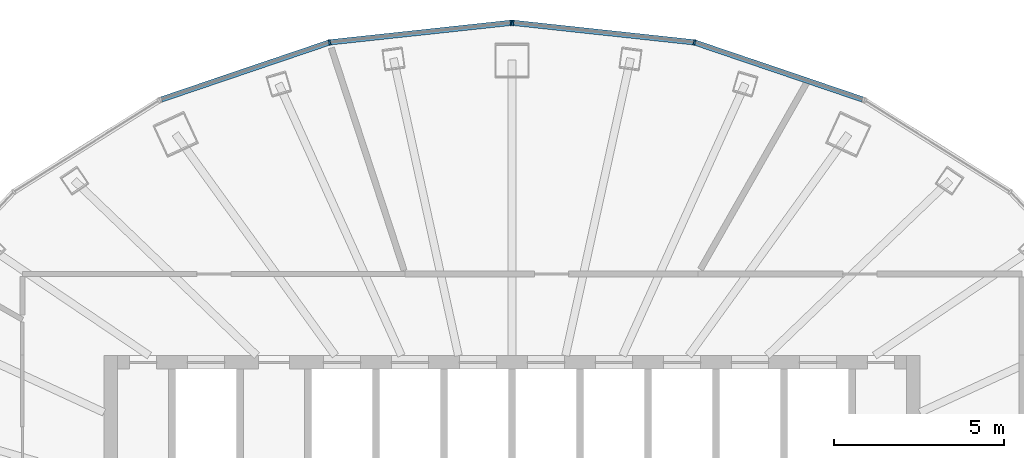
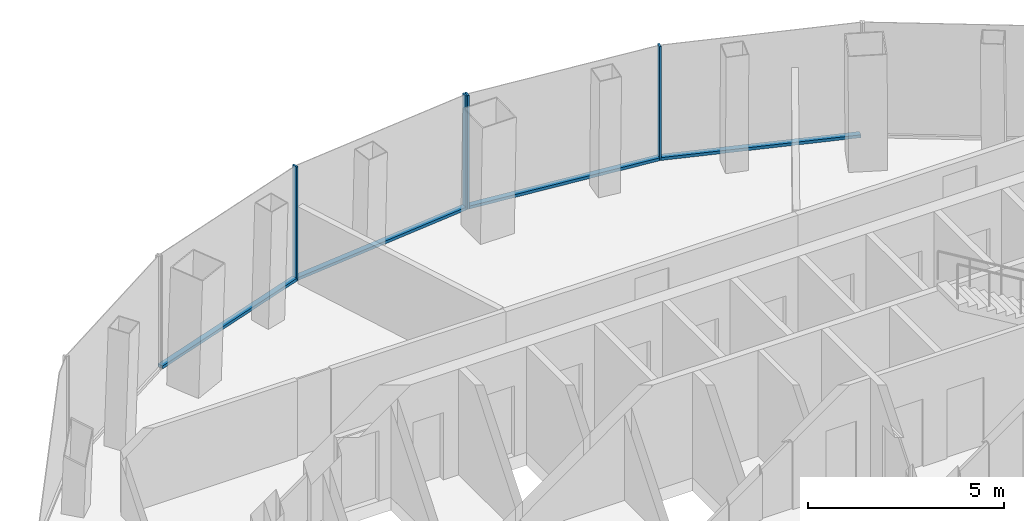
# One storey, part 6 of 11: 8 members, 2 elements without a shape of their own.
"""IFC4 building model written with IfcOpenShell, lengths in metres."""

from ifc_helpers import new_model, si_unit, direction, frame, origin, origin_2d, place, context, subcontext, project, spatial, rectangle, extrude, material, layer, layer_set, material_profile, profile_set, type_object, element, aggregate, save


model = new_model("IFC4")

# Units and contexts
model_context = context("Model", 3, precision=1e-05, world=origin(), true_north=direction((0.0, 1.0)))
body_context = subcontext(model_context, "Body", "Model", "MODEL_VIEW")
ifc_project = project(units=[si_unit("LENGTHUNIT", "METRE"), si_unit("AREAUNIT", "SQUARE_METRE"), si_unit("VOLUMEUNIT", "CUBIC_METRE"), si_unit("PLANEANGLEUNIT", "RADIAN"), si_unit("MASSUNIT", "GRAM", prefix="KILO")], contexts=[model_context])

# Site, building, storey
site_placement = place(None, origin())
site = spatial("IfcSite", under=ifc_project, at=site_placement, CompositionType="ELEMENT")
building_placement = place(site_placement, origin())
building = spatial("IfcBuilding", under=site, at=building_placement, Name="Siaravel Broadcast Tower", CompositionType="ELEMENT")
storey_placement = place(building_placement, frame((0.0, 0.0, 254.10009765625)))
storey = spatial("IfcBuildingStorey", under=building, at=storey_placement, Name="L62", CompositionType="ELEMENT", Elevation=254.10009765625)

# Curtain wall, members
ifc_material = material(Name="Aluminium 6063-T6", Category="aluminium")
ifc_layer = layer(ifc_material, 0.159912109375)
ifc_layer_set = layer_set([ifc_layer], Name="Aluminium 6063-T6")
curtain_wall_type = type_object("IfcCurtainWallType", Name="Unitised curtain wall, zone 4", PredefinedType="NOTDEFINED", material=ifc_layer_set)
curtain_wall_1_placement = place(storey_placement, origin())
curtain_wall_1 = element("IfcCurtainWall", 1, at=curtain_wall_1_placement, inside=storey, type_object=curtain_wall_type, Name="L62 Unitised curtain wall, zone 4 03", PredefinedType="NOTDEFINED")
ifc_material_profile_1 = material_profile(ifc_material, rectangle(XDim=0.159912109375, YDim=0.054931640625, at=origin_2d()))
ifc_profile_set_1 = profile_set([ifc_material_profile_1], Name="Aluminium 6063-T6")
member_type_1 = type_object("IfcMemberType", Name="CW-Z4 mullion", PredefinedType="MULLION", material=ifc_profile_set_1)
member_1_placement = place(storey_placement, frame((5.364013671875, 16.413818359375, 0.0), z_axis=(0.0, 0.0, 1.0), x_axis=(-0.215558728, -0.976490878, 0.0)))
member_1 = element("IfcMember", 2, at=member_1_placement, type_object=member_type_1, Name="CW-Z4 mullion 2", PredefinedType="MULLION", context=body_context, shape_type="SweptSolid", body=[
    extrude(rectangle(XDim=0.159912109375, YDim=0.054931640625, at=origin_2d()), origin(), (0.0, 0.0, 1.0), 3.5498046875),
])
member_2_placement = place(storey_placement, frame((0.02734375, 16.9892578125, 0.0), z_axis=(0.0, 0.0, 1.0), x_axis=(-0.107217823, -0.994235555, 0.0)))
member_2 = element("IfcMember", 3, at=member_2_placement, type_object=member_type_1, Name="CW-Z4 mullion 3", PredefinedType="MULLION", context=body_context, shape_type="SweptSolid", body=[
    extrude(rectangle(XDim=0.159912109375, YDim=0.054931640625, at=origin_2d()), origin(), (0.0, 0.0, 1.0), 3.5498046875),
])

curtain_wall_2_placement = place(storey_placement, origin())
curtain_wall_2 = element("IfcCurtainWall", 4, at=curtain_wall_2_placement, inside=storey, type_object=curtain_wall_type, Name="L62 Unitised curtain wall, zone 4 04", PredefinedType="NOTDEFINED")
member_3_placement = place(storey_placement, frame((-0.02734375, 16.9892578125, 0.0), z_axis=(0.0, 0.0, 1.0), x_axis=(0.107217823, -0.994235555, 0.0)))
member_3 = element("IfcMember", 5, at=member_3_placement, type_object=member_type_1, Name="CW-Z4 mullion 1", PredefinedType="MULLION", context=body_context, shape_type="SweptSolid", body=[
    extrude(rectangle(XDim=0.159912109375, YDim=0.054931640625, at=origin_2d()), origin(), (0.0, 0.0, 1.0), 3.5498046875),
])
member_4_placement = place(storey_placement, frame((-5.364013671875, 16.413818359375, 0.0), z_axis=(0.0, 0.0, 1.0), x_axis=(0.215558728, -0.976490878, 0.0)))
member_4 = element("IfcMember", 6, at=member_4_placement, type_object=member_type_1, Name="CW-Z4 mullion 2", PredefinedType="MULLION", context=body_context, shape_type="SweptSolid", body=[
    extrude(rectangle(XDim=0.159912109375, YDim=0.054931640625, at=origin_2d()), origin(), (0.0, 0.0, 1.0), 3.5498046875),
])

# Member
ifc_material_profile_2 = material_profile(ifc_material, rectangle(XDim=0.159912109375, YDim=0.090087890625, at=origin_2d()))
ifc_profile_set_2 = profile_set([ifc_material_profile_2], Name="Aluminium 6063-T6")
member_type_2 = type_object("IfcMemberType", Name="CW-Z4 transom", PredefinedType="USERDEFINED", material=ifc_profile_set_2)
member_5_placement = place(storey_placement, frame((10.31103515625, 14.735107421875, 0.044921875), z_axis=(-0.946973595, 0.321311392, 0.0), x_axis=(-0.321311392, -0.946973595, 0.0)))
member_5 = element("IfcMember", 7, at=member_5_placement, type_object=member_type_2, Name="CW-Z4 transom 1", ObjectType="TRANSOM", PredefinedType="USERDEFINED", context=body_context, shape_type="SweptSolid", body=[
    extrude(rectangle(XDim=0.159912109375, YDim=0.090087890625, at=origin_2d()), origin(), (0.0, 0.0, 1.0), 5.196533203125),
])

member_6_placement = place(storey_placement, frame((5.336669921875, 16.416748046875, 0.044921875), z_axis=(-0.994236077, 0.107212978, 0.0), x_axis=(-0.107212978, -0.994236077, 0.0)))
member_6 = element("IfcMember", 8, at=member_6_placement, type_object=member_type_2, Name="CW-Z4 transom 2", ObjectType="TRANSOM", PredefinedType="USERDEFINED", context=body_context, shape_type="SweptSolid", body=[
    extrude(rectangle(XDim=0.159912109375, YDim=0.090087890625, at=origin_2d()), origin(), (0.0, 0.0, 1.0), 5.3125),
])

aggregate(curtain_wall_1, [member_1, member_2, member_5, member_6])

member_7_placement = place(storey_placement, frame((-0.0546875, 16.986328125, 0.044921875), z_axis=(-0.994236077, -0.107212978, 0.0), x_axis=(0.107212978, -0.994236077, 0.0)))
member_7 = element("IfcMember", 9, at=member_7_placement, type_object=member_type_2, Name="CW-Z4 transom 1", ObjectType="TRANSOM", PredefinedType="USERDEFINED", context=body_context, shape_type="SweptSolid", body=[
    extrude(rectangle(XDim=0.159912109375, YDim=0.090087890625, at=origin_2d()), origin(), (0.0, 0.0, 1.0), 5.3125),
])

member_8_placement = place(storey_placement, frame((-5.39013671875, 16.40478515625, 0.044921875), z_axis=(-0.946973595, -0.321311392, 0.0), x_axis=(0.321311392, -0.946973595, 0.0)))
member_8 = element("IfcMember", 10, at=member_8_placement, type_object=member_type_2, Name="CW-Z4 transom 2", ObjectType="TRANSOM", PredefinedType="USERDEFINED", context=body_context, shape_type="SweptSolid", body=[
    extrude(rectangle(XDim=0.159912109375, YDim=0.090087890625, at=origin_2d()), origin(), (0.0, 0.0, 1.0), 5.196533203125),
])

aggregate(curtain_wall_2, [member_3, member_4, member_7, member_8])

save(model, "model.ifc")
